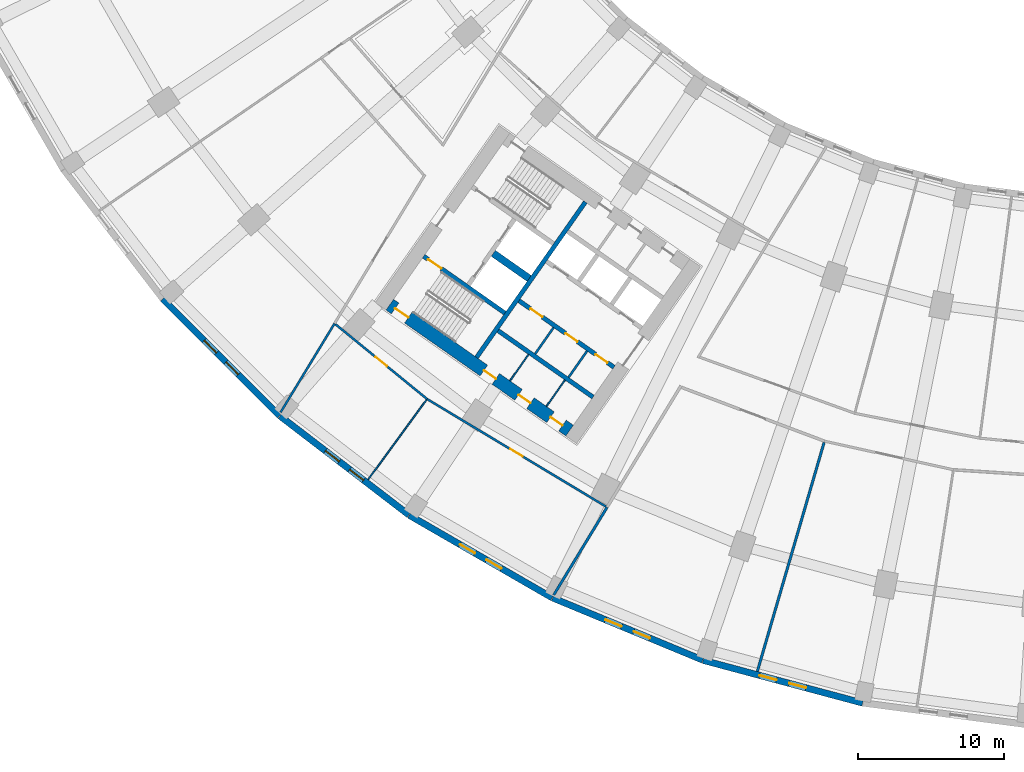
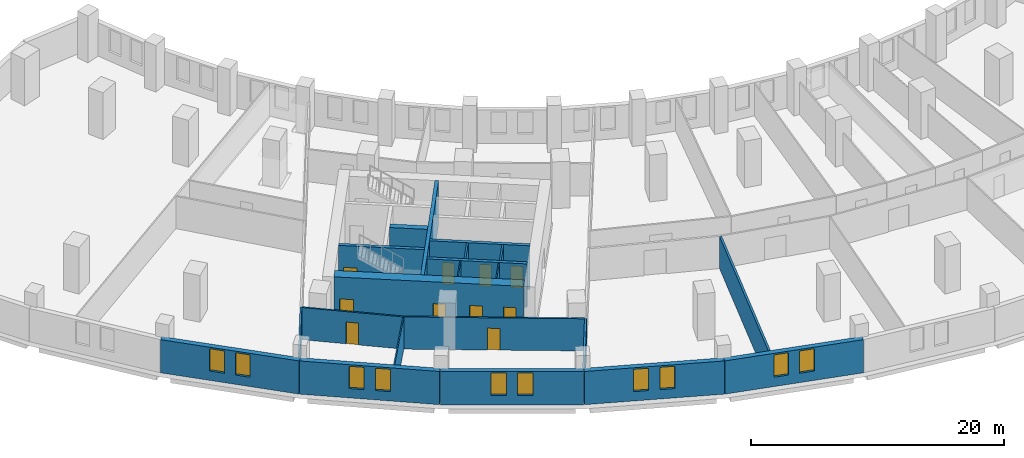
# One storey, part 5 of 19: 21 walls, 10 doors, 10 windows, 20 openings.
"""IFC4 building model written with IfcOpenShell, lengths in metres."""

from ifc_helpers import new_model, si_unit, direction, frame, frame_2d, origin, place, context, subcontext, project, spatial, rectangle, extrude, material, layer, layer_set, type_object, element, fill, save


model = new_model("IFC4")

# Units and contexts
model_context = context("Model", 3, precision=1e-05, world=origin(), true_north=direction((0.0, 1.0)))
body_context = subcontext(model_context, "Body", "Model", "MODEL_VIEW")
ifc_project = project(units=[si_unit("LENGTHUNIT", "METRE"), si_unit("AREAUNIT", "SQUARE_METRE"), si_unit("VOLUMEUNIT", "CUBIC_METRE"), si_unit("PLANEANGLEUNIT", "RADIAN"), si_unit("MASSUNIT", "GRAM", prefix="KILO")], contexts=[model_context])

# Site, building, storey
site_placement = place(None, origin())
site = spatial("IfcSite", under=ifc_project, at=site_placement, CompositionType="ELEMENT")
building_placement = place(site_placement, origin())
building = spatial("IfcBuilding", under=site, at=building_placement, Name="Qamariyya Broadcast Tower", CompositionType="ELEMENT")
storey_placement = place(building_placement, frame((0.0, 0.0, 36.0)))
storey = spatial("IfcBuildingStorey", under=building, at=storey_placement, Name="L05", CompositionType="ELEMENT", Elevation=36.0)

# Wall, openings, doors
ifc_material_1 = material(Name="Concrete C70/85", Category="concrete")
ifc_layer_1 = layer(ifc_material_1, 0.89990234375)
ifc_layer_set_1 = layer_set([ifc_layer_1], Name="Core wall 900 mm Concrete C70/85")
wall_type_1 = type_object("IfcWallType", Name="Core wall 900 mm Concrete C70/85", PredefinedType="SHEAR", material=ifc_layer_set_1)
wall_1_placement = place(storey_placement, frame((-36.827392578125, -65.710205078125, 0.0), z_axis=(0.0, 0.0, 1.0), x_axis=(-0.819153391756, 0.573574511963, 0.0)))
wall_1 = element("IfcWall", 1, at=wall_1_placement, inside=storey, type_object=wall_type_1, Name="k-W-L05-WO", PredefinedType="SHEAR", context=body_context, shape_type="SweptSolid", body=[
    extrude(rectangle(XDim=15.04541015625, YDim=0.89990234375, at=frame_2d((7.522705078125, 0.0))), origin(), (0.0, 0.0, 1.0), 4.199951171875),
])
opening_1_placement = place(wall_1_placement, frame((0.60009765625, 0.0, 0.0)))
opening_1 = element("IfcOpeningElement", 2, at=opening_1_placement, cuts=wall_1, Name="Opening KD4-W1", PredefinedType="OPENING", context=body_context, shape_type="SweptSolid", body=[
    extrude(rectangle(XDim=1.0, YDim=2.10009765625, at=frame_2d((0.5, 1.050048828125))), frame((0.0, 0.4599609375, 0.0), z_axis=(0.0, -1.0, 0.0), x_axis=(1.0, 0.0, 0.0)), (0.0, 0.0, 1.0), 0.919921875),
])
opening_2_placement = place(wall_1_placement, frame((3.27490234375, 0.0, 0.0)))
opening_2 = element("IfcOpeningElement", 3, at=opening_2_placement, cuts=wall_1, Name="Opening KD4-W2", PredefinedType="OPENING", context=body_context, shape_type="SweptSolid", body=[
    extrude(rectangle(XDim=1.0, YDim=2.10009765625, at=frame_2d((0.5, 1.050048828125))), frame((0.0, 0.4599609375, 0.0), z_axis=(0.0, -1.0, 0.0), x_axis=(1.0, 0.0, 0.0)), (0.0, 0.0, 1.0), 0.919921875),
])
opening_3_placement = place(wall_1_placement, frame((6.175048828125, 0.0, 0.0)))
opening_3 = element("IfcOpeningElement", 4, at=opening_3_placement, cuts=wall_1, Name="Opening KD4-W3", PredefinedType="OPENING", context=body_context, shape_type="SweptSolid", body=[
    extrude(rectangle(XDim=1.0, YDim=2.10009765625, at=frame_2d((0.5, 1.050048828125))), frame((0.0, 0.4599609375, 0.0), z_axis=(0.0, -1.0, 0.0), x_axis=(1.0, 0.0, 0.0)), (0.0, 0.0, 1.0), 0.919921875),
])
opening_4_placement = place(wall_1_placement, frame((13.495361328125, 0.0, 0.0)))
opening_4 = element("IfcOpeningElement", 5, at=opening_4_placement, cuts=wall_1, Name="Opening KD1-W3", PredefinedType="OPENING", context=body_context, shape_type="SweptSolid", body=[
    extrude(rectangle(XDim=1.10009765625, YDim=2.10009765625, at=frame_2d((0.550048828125, 1.050048828125))), frame((0.0, 0.4599609375, 0.0), z_axis=(0.0, -1.0, 0.0), x_axis=(1.0, 0.0, 0.0)), (0.0, 0.0, 1.0), 0.919921875),
])
ifc_material_2 = material(Name="Steel fire-resisting door leaf", Category="steel")
door_type_1 = type_object("IfcDoorType", Name="Riser and plant door KD4", OperationType="SINGLE_SWING_LEFT", PredefinedType="DOOR", material=ifc_material_2)
door_1_placement = place(opening_1_placement, origin())
door_1 = element("IfcDoor", 6, at=door_1_placement, inside=storey, type_object=door_type_1, Name="k-W-L05-WO-D11", OperationType="SINGLE_SWING_RIGHT", OverallHeight=2.10009765625, OverallWidth=1.0, PredefinedType="DOOR", context=body_context, shape_type="SweptSolid", body=[
    extrude(rectangle(XDim=1.0, YDim=2.10009765625, at=frame_2d((0.5, 1.050048828125))), frame((0.0, 0.02490234375, 0.0), z_axis=(0.0, -1.0, 0.0), x_axis=(1.0, 0.0, 0.0)), (0.0, 0.0, 1.0), 0.050048828125),
])
fill(opening_1, door_1)
door_2_placement = place(opening_2_placement, origin())
door_2 = element("IfcDoor", 7, at=door_2_placement, inside=storey, type_object=door_type_1, Name="k-W-L05-WO-D12", OperationType="SINGLE_SWING_LEFT", OverallHeight=2.10009765625, OverallWidth=1.0, PredefinedType="DOOR", context=body_context, shape_type="SweptSolid", body=[
    extrude(rectangle(XDim=1.0, YDim=2.10009765625, at=frame_2d((0.5, 1.050048828125))), frame((0.0, 0.02490234375, 0.0), z_axis=(0.0, -1.0, 0.0), x_axis=(1.0, 0.0, 0.0)), (0.0, 0.0, 1.0), 0.050048828125),
])
fill(opening_2, door_2)
door_3_placement = place(opening_3_placement, origin())
door_3 = element("IfcDoor", 8, at=door_3_placement, inside=storey, type_object=door_type_1, Name="k-W-L05-WO-D13", OperationType="SINGLE_SWING_RIGHT", OverallHeight=2.10009765625, OverallWidth=1.0, PredefinedType="DOOR", context=body_context, shape_type="SweptSolid", body=[
    extrude(rectangle(XDim=1.0, YDim=2.10009765625, at=frame_2d((0.5, 1.050048828125))), frame((0.0, 0.02490234375, 0.0), z_axis=(0.0, -1.0, 0.0), x_axis=(1.0, 0.0, 0.0)), (0.0, 0.0, 1.0), 0.050048828125),
])
fill(opening_3, door_3)
door_type_2 = type_object("IfcDoorType", Name="Stair door KD1", OperationType="SINGLE_SWING_LEFT", PredefinedType="DOOR", material=ifc_material_2)
door_4_placement = place(opening_4_placement, origin())
door_4 = element("IfcDoor", 9, at=door_4_placement, inside=storey, type_object=door_type_2, Name="k-W-L05-WO-D19", OperationType="SINGLE_SWING_LEFT", OverallHeight=2.10009765625, OverallWidth=1.10009765625, PredefinedType="DOOR", context=body_context, shape_type="SweptSolid", body=[
    extrude(rectangle(XDim=1.10009765625, YDim=2.10009765625, at=frame_2d((0.550048828125, 1.050048828125))), frame((0.0, 0.02490234375, 0.0), z_axis=(0.0, -1.0, 0.0), x_axis=(1.0, 0.0, 0.0)), (0.0, 0.0, 1.0), 0.050048828125),
])
fill(opening_4, door_4)

# Wall
ifc_material_3 = material(Name="Gypsum board partition")
ifc_layer_2 = layer(ifc_material_3, 0.14990234375)
ifc_layer_set_2 = layer_set([ifc_layer_2], Name="Corridor partition 150 EI 60")
wall_type_2 = type_object("IfcWallType", Name="Corridor partition 150 EI 60", PredefinedType="PARTITIONING", material=ifc_layer_set_2)
wall_2_placement = place(storey_placement, frame((-52.935791015625, -58.37158203125, 0.0), z_axis=(0.0, 0.0, 1.0), x_axis=(-0.519148894699, -0.854683815883, 0.0)))
element("IfcWall", 10, at=wall_2_placement, inside=storey, type_object=wall_type_2, Name="Partition L05-003", PredefinedType="PARTITIONING", context=body_context, shape_type="SweptSolid", body=[
    extrude(rectangle(XDim=7.12548828125, YDim=0.14990234375, at=frame_2d((3.562744140625, 0.0))), origin(), (0.0, 0.0, 1.0), 3.10009765625),
])

# Wall, opening, door
wall_3_placement = place(storey_placement, frame((-46.593505859375, -63.549072265625, 0.0), z_axis=(0.0, 0.0, 1.0), x_axis=(-0.774664810718, 0.632372066931, 0.0)))
wall_3 = element("IfcWall", 11, at=wall_3_placement, inside=storey, type_object=wall_type_2, Name="Partition L05-004", PredefinedType="PARTITIONING", context=body_context, shape_type="SweptSolid", body=[
    extrude(rectangle(XDim=8.112060546875, YDim=0.14990234375, at=frame_2d((4.05615234375, 0.0))), origin(), (0.0, 0.0, 1.0), 3.10009765625),
])
opening_5_placement = place(wall_3_placement, frame((3.55615234375, 0.0, 0.0)))
opening_5 = element("IfcOpeningElement", 12, at=opening_5_placement, cuts=wall_3, Name="Opening L05-D17", PredefinedType="OPENING", context=body_context, shape_type="SweptSolid", body=[
    extrude(rectangle(XDim=1.0, YDim=2.10009765625, at=frame_2d((0.5, 1.050048828125))), frame((0.0, 0.0849609375, 0.0), z_axis=(0.0, -1.0, 0.0), x_axis=(1.0, 0.0, 0.0)), (0.0, 0.0, 1.0), 0.169921875),
])
ifc_material_4 = material(Name="Timber fire door leaf", Category="wood")
door_type_3 = type_object("IfcDoorType", Name="Fire door 1000 x 2100 FD60", OperationType="NOTDEFINED", PredefinedType="DOOR", material=ifc_material_4)
door_5_placement = place(opening_5_placement, origin())
door_5 = element("IfcDoor", 13, at=door_5_placement, inside=storey, type_object=door_type_3, Name="Door L05-D17", OperationType="SINGLE_SWING_RIGHT", OverallHeight=2.10009765625, OverallWidth=1.0, PredefinedType="DOOR", context=body_context, shape_type="SweptSolid", body=[
    extrude(rectangle(XDim=1.0, YDim=2.10009765625, at=frame_2d((0.5, 1.050048828125))), frame((0.0, 0.02490234375, 0.0), z_axis=(0.0, -1.0, 0.0), x_axis=(1.0, 0.0, 0.0)), (0.0, 0.0, 1.0), 0.050048828125),
])
fill(opening_5, door_5)

wall_4_placement = place(storey_placement, frame((-34.337158203125, -70.916259765625, 0.0), z_axis=(0.0, 0.0, 1.0), x_axis=(-0.857079893963, 0.515183516199, 0.0)))
wall_4 = element("IfcWall", 14, at=wall_4_placement, inside=storey, type_object=wall_type_2, Name="Partition L05-009", PredefinedType="PARTITIONING", context=body_context, shape_type="SweptSolid", body=[
    extrude(rectangle(XDim=14.300048828125, YDim=0.14990234375, at=frame_2d((7.14990234375, 0.0))), origin(), (0.0, 0.0, 1.0), 3.10009765625),
])
opening_6_placement = place(wall_4_placement, frame((6.650146484375, 0.0, 0.0)))
opening_6 = element("IfcOpeningElement", 15, at=opening_6_placement, cuts=wall_4, Name="Opening L05-D18", PredefinedType="OPENING", context=body_context, shape_type="SweptSolid", body=[
    extrude(rectangle(XDim=1.0, YDim=2.10009765625, at=frame_2d((0.5, 1.050048828125))), frame((0.0, 0.0849609375, 0.0), z_axis=(0.0, -1.0, 0.0), x_axis=(1.0, 0.0, 0.0)), (0.0, 0.0, 1.0), 0.169921875),
])
door_6_placement = place(opening_6_placement, origin())
door_6 = element("IfcDoor", 16, at=door_6_placement, inside=storey, type_object=door_type_3, Name="Door L05-D18", OperationType="SINGLE_SWING_RIGHT", OverallHeight=2.10009765625, OverallWidth=1.0, PredefinedType="DOOR", context=body_context, shape_type="SweptSolid", body=[
    extrude(rectangle(XDim=1.0, YDim=2.10009765625, at=frame_2d((0.5, 1.050048828125))), frame((0.0, 0.02490234375, 0.0), z_axis=(0.0, -1.0, 0.0), x_axis=(1.0, 0.0, 0.0)), (0.0, 0.0, 1.0), 0.050048828125),
])
fill(opening_6, door_6)

# Walls
ifc_material_5 = material(Name="Concrete C60/75", Category="concrete")
ifc_layer_3 = layer(ifc_material_5, 0.5)
ifc_layer_set_3 = layer_set([ifc_layer_3], Name="Fire-fighting lobby divider wall 500 mm Concrete C60/75")
wall_type_3 = type_object("IfcWallType", Name="Fire-fighting lobby divider wall 500 mm Concrete C60/75", PredefinedType="SOLIDWALL", material=ifc_layer_set_3)
wall_5_placement = place(storey_placement, frame((-39.59912109375, -55.28515625, 0.0), z_axis=(0.0, 0.0, 1.0), x_axis=(-0.819136323161, 0.573598887793, 0.0)))
element("IfcWall", 17, at=wall_5_placement, inside=storey, type_object=wall_type_3, Name="k-W-L05-FD", PredefinedType="SOLIDWALL", context=body_context, shape_type="SweptSolid", body=[
    extrude(rectangle(XDim=2.999755859375, YDim=0.5, at=frame_2d((1.5, 0.0))), origin(), (0.0, 0.0, 1.0), 4.199951171875),
])
ifc_material_6 = material(Name="Gypsum board partition on steel studs", Category="steel")
ifc_layer_4 = layer(ifc_material_6, 0.14990234375)
ifc_layer_set_4 = layer_set([ifc_layer_4], Name="Gypsum board partition 150 mm")
wall_type_4 = type_object("IfcWallType", Name="Gypsum board partition 150 mm", PredefinedType="PARTITIONING", material=ifc_layer_set_4)
for number, where, z_axis, x_axis, name in (
    (18, (-35.634521484375, -60.25830078125, 0.0), (0.0, 0.0, 1.0), (-0.573581496053, -0.819148501424, 0.0), "k-W-L05-SC215"),
    (19, (-37.92822265625, -58.65234375, 0.0), (0.0, 0.0, 1.0), (-0.573581496053, -0.819148501424, 0.0), "k-W-L05-SC495"),
):
    element("IfcWall", number, at=place(storey_placement, frame(where, z_axis=z_axis, x_axis=x_axis)), inside=storey, type_object=wall_type_4, Name=name, PredefinedType="PARTITIONING", context=body_context, shape_type="SweptSolid", body=[
        extrude(rectangle(XDim=2.2001953125, YDim=0.14990234375, at=frame_2d((1.10009765625, 0.0))), origin(), (0.0, 0.0, 1.0), 4.199951171875),
    ])
ifc_layer_5 = layer(ifc_material_5, 0.300048828125)
ifc_layer_set_5 = layer_set([ifc_layer_5], Name="Lift shaft wall 300 mm Concrete C60/75")
wall_type_5 = type_object("IfcWallType", Name="Lift shaft wall 300 mm Concrete C60/75", PredefinedType="SOLIDWALL", material=ifc_layer_set_5)
wall_6_placement = place(storey_placement, frame((-43.204345703125, -60.69580078125, 0.0), z_axis=(0.0, 0.0, 1.0), x_axis=(0.573571992966, 0.819155155563, 0.0)))
element("IfcWall", 20, at=wall_6_placement, inside=storey, type_object=wall_type_5, Name="k-W-L05-WL", PredefinedType="SOLIDWALL", context=body_context, shape_type="SweptSolid", body=[
    extrude(rectangle(XDim=13.000244140625, YDim=0.300048828125, at=frame_2d((6.5, 0.0))), origin(), (0.0, 0.0, 1.0), 4.199951171875),
])

# Wall, openings, doors
wall_7_placement = place(storey_placement, frame((-33.787353515625, -61.368896484375, 0.0), z_axis=(0.0, 0.0, 1.0), x_axis=(-0.819152564888, 0.573575692858, 0.0)))
wall_7 = element("IfcWall", 21, at=wall_7_placement, inside=storey, type_object=wall_type_5, Name="k-W-L05-SF0", PredefinedType="SOLIDWALL", context=body_context, shape_type="SweptSolid", body=[
    extrude(rectangle(XDim=7.9501953125, YDim=0.300048828125, at=frame_2d((3.97509765625, 0.0))), origin(), (0.0, 0.0, 1.0), 4.199951171875),
])
opening_7_placement = place(wall_7_placement, frame((0.53759765625, 0.0, 0.0)))
opening_7 = element("IfcOpeningElement", 22, at=opening_7_placement, cuts=wall_7, Name="Opening KD6-W1", PredefinedType="OPENING", context=body_context, shape_type="SweptSolid", body=[
    extrude(rectangle(XDim=1.0, YDim=2.10009765625, at=frame_2d((0.5, 1.050048828125))), frame((0.0, 0.159912109375, 0.0), z_axis=(0.0, -1.0, 0.0), x_axis=(1.0, 0.0, 0.0)), (0.0, 0.0, 1.0), 0.320068359375),
])
opening_8_placement = place(wall_7_placement, frame((3.050048828125, 0.0, 0.0)))
opening_8 = element("IfcOpeningElement", 23, at=opening_8_placement, cuts=wall_7, Name="Opening KD6-W2", PredefinedType="OPENING", context=body_context, shape_type="SweptSolid", body=[
    extrude(rectangle(XDim=1.0, YDim=2.10009765625, at=frame_2d((0.5, 1.050048828125))), frame((0.0, 0.159912109375, 0.0), z_axis=(0.0, -1.0, 0.0), x_axis=(1.0, 0.0, 0.0)), (0.0, 0.0, 1.0), 0.320068359375),
])
opening_9_placement = place(wall_7_placement, frame((5.987548828125, 0.0, 0.0)))
opening_9 = element("IfcOpeningElement", 24, at=opening_9_placement, cuts=wall_7, Name="Opening KD6-W3", PredefinedType="OPENING", context=body_context, shape_type="SweptSolid", body=[
    extrude(rectangle(XDim=1.0, YDim=2.10009765625, at=frame_2d((0.5, 1.050048828125))), frame((0.0, 0.159912109375, 0.0), z_axis=(0.0, -1.0, 0.0), x_axis=(1.0, 0.0, 0.0)), (0.0, 0.0, 1.0), 0.320068359375),
])
door_type_4 = type_object("IfcDoorType", Name="Core room door KD6", OperationType="SINGLE_SWING_LEFT", PredefinedType="DOOR", material=ifc_material_2)
door_7_placement = place(opening_7_placement, origin())
door_7 = element("IfcDoor", 25, at=door_7_placement, inside=storey, type_object=door_type_4, Name="k-W-L05-SF0-D5", OperationType="SINGLE_SWING_RIGHT", OverallHeight=2.10009765625, OverallWidth=1.0, PredefinedType="DOOR", context=body_context, shape_type="SweptSolid", body=[
    extrude(rectangle(XDim=1.0, YDim=2.10009765625, at=frame_2d((0.5, 1.050048828125))), frame((0.0, 0.02490234375, 0.0), z_axis=(0.0, -1.0, 0.0), x_axis=(1.0, 0.0, 0.0)), (0.0, 0.0, 1.0), 0.050048828125),
])
fill(opening_7, door_7)
door_8_placement = place(opening_8_placement, origin())
door_8 = element("IfcDoor", 26, at=door_8_placement, inside=storey, type_object=door_type_4, Name="k-W-L05-SF0-D6", OperationType="SINGLE_SWING_LEFT", OverallHeight=2.10009765625, OverallWidth=1.0, PredefinedType="DOOR", context=body_context, shape_type="SweptSolid", body=[
    extrude(rectangle(XDim=1.0, YDim=2.10009765625, at=frame_2d((0.5, 1.050048828125))), frame((0.0, 0.02490234375, 0.0), z_axis=(0.0, -1.0, 0.0), x_axis=(1.0, 0.0, 0.0)), (0.0, 0.0, 1.0), 0.050048828125),
])
fill(opening_8, door_8)
door_9_placement = place(opening_9_placement, origin())
door_9 = element("IfcDoor", 27, at=door_9_placement, inside=storey, type_object=door_type_4, Name="k-W-L05-SF0-D7", OperationType="SINGLE_SWING_RIGHT", OverallHeight=2.10009765625, OverallWidth=1.0, PredefinedType="DOOR", context=body_context, shape_type="SweptSolid", body=[
    extrude(rectangle(XDim=1.0, YDim=2.10009765625, at=frame_2d((0.5, 1.050048828125))), frame((0.0, 0.02490234375, 0.0), z_axis=(0.0, -1.0, 0.0), x_axis=(1.0, 0.0, 0.0)), (0.0, 0.0, 1.0), 0.050048828125),
])
fill(opening_9, door_9)

# Wall
wall_8_placement = place(storey_placement, frame((-35.22119140625, -63.41650390625, 0.0), z_axis=(0.0, 0.0, 1.0), x_axis=(-0.819166993208, 0.573555086491, 0.0)))
element("IfcWall", 28, at=wall_8_placement, inside=storey, type_object=wall_type_5, Name="k-W-L05-SB0", PredefinedType="SOLIDWALL", context=body_context, shape_type="SweptSolid", body=[
    extrude(rectangle(XDim=7.9501953125, YDim=0.300048828125, at=frame_2d((3.97509765625, 0.0))), origin(), (0.0, 0.0, 1.0), 4.199951171875),
])

# Wall, opening, door
wall_9_placement = place(storey_placement, frame((-41.262451171875, -57.66064453125, 0.0), z_axis=(0.0, 0.0, 1.0), x_axis=(-0.819164398642, 0.573558792102, 0.0)))
wall_9 = element("IfcWall", 29, at=wall_9_placement, inside=storey, type_object=wall_type_5, Name="k-W-L05-SW", PredefinedType="SOLIDWALL", context=body_context, shape_type="SweptSolid", body=[
    extrude(rectangle(XDim=6.795166015625, YDim=0.300048828125, at=frame_2d((3.3974609375, 0.0))), origin(), (0.0, 0.0, 1.0), 4.199951171875),
])
opening_10_placement = place(wall_9_placement, frame((5.3203125, 0.0, 0.0)))
opening_10 = element("IfcOpeningElement", 30, at=opening_10_placement, cuts=wall_9, Name="Opening KD1-W4", PredefinedType="OPENING", context=body_context, shape_type="SweptSolid", body=[
    extrude(rectangle(XDim=1.10009765625, YDim=2.10009765625, at=frame_2d((0.550048828125, 1.050048828125))), frame((0.0, 0.159912109375, 0.0), z_axis=(0.0, -1.0, 0.0), x_axis=(1.0, 0.0, 0.0)), (0.0, 0.0, 1.0), 0.320068359375),
])
door_10_placement = place(opening_10_placement, origin())
door_10 = element("IfcDoor", 31, at=door_10_placement, inside=storey, type_object=door_type_2, Name="k-W-L05-SW-D20", OperationType="SINGLE_SWING_LEFT", OverallHeight=2.10009765625, OverallWidth=1.10009765625, PredefinedType="DOOR", context=body_context, shape_type="SweptSolid", body=[
    extrude(rectangle(XDim=1.10009765625, YDim=2.10009765625, at=frame_2d((0.550048828125, 1.050048828125))), frame((0.0, 0.02490234375, 0.0), z_axis=(0.0, -1.0, 0.0), x_axis=(1.0, 0.0, 0.0)), (0.0, 0.0, 1.0), 0.050048828125),
])
fill(opening_10, door_10)

# Wall
ifc_layer_6 = layer(ifc_material_3, 0.10009765625)
ifc_layer_set_6 = layer_set([ifc_layer_6], Name="Partition 100")
wall_type_6 = type_object("IfcWallType", Name="Partition 100", PredefinedType="PARTITIONING", material=ifc_layer_set_6)
wall_10_placement = place(storey_placement, frame((-50.635498046875, -69.06201171875, 0.0), z_axis=(0.0, 0.0, 1.0), x_axis=(0.591304174152, 0.806448618097, 0.0)))
element("IfcWall", 32, at=wall_10_placement, inside=storey, type_object=wall_type_6, Name="Partition L05-006", PredefinedType="PARTITIONING", context=body_context, shape_type="SweptSolid", body=[
    extrude(rectangle(XDim=6.760986328125, YDim=0.10009765625, at=frame_2d((3.38037109375, 0.0))), origin(), (0.0, 0.0, 1.0), 3.10009765625),
])

# Wall, openings, windows
ifc_material_7 = material(Name="Precast concrete C40/50 with terracotta facing", Category="masonry")
ifc_layer_7 = layer(ifc_material_7, 0.449951171875)
ifc_layer_set_7 = layer_set([ifc_layer_7], Name="Precast concrete C40/50 wall 450, terracotta faced")
wall_type_7 = type_object("IfcWallType", Name="Precast concrete C40/50 wall 450, terracotta faced", PredefinedType="SOLIDWALL", material=ifc_layer_set_7)
wall_11_placement = place(storey_placement, frame((-64.69775390625, -56.69873046875, 0.0), z_axis=(0.0, 0.0, 1.0), x_axis=(0.707106781187, -0.707106781187, 0.0)))
wall_11 = element("IfcWall", 33, at=wall_11_placement, inside=storey, type_object=wall_type_7, Name="e-wl-L05-out40", PredefinedType="SOLIDWALL", context=body_context, shape_type="SweptSolid", body=[
    extrude(rectangle(XDim=11.312255859375, YDim=0.449951171875, at=frame_2d((5.65625, 0.0))), origin(), (0.0, 0.0, 1.0), 3.199951171875),
])
opening_11_placement = place(wall_11_placement, frame((4.00634765625, 0.0, 0.89990234375)))
opening_11 = element("IfcOpeningElement", 34, at=opening_11_placement, cuts=wall_11, Name="Opening W3", PredefinedType="OPENING", context=body_context, shape_type="SweptSolid", body=[
    extrude(rectangle(XDim=1.199951171875, YDim=2.14990234375, at=frame_2d((0.60009765625, 1.074951171875))), frame((0.0, 0.23486328125, 0.0), z_axis=(0.0, -1.0, 0.0), x_axis=(1.0, 0.0, 0.0)), (0.0, 0.0, 1.0), 0.469970703125),
])
opening_12_placement = place(wall_11_placement, frame((6.106201171875, 0.0, 0.89990234375)))
opening_12 = element("IfcOpeningElement", 35, at=opening_12_placement, cuts=wall_11, Name="Opening W3", PredefinedType="OPENING", context=body_context, shape_type="SweptSolid", body=[
    extrude(rectangle(XDim=1.199951171875, YDim=2.14990234375, at=frame_2d((0.60009765625, 1.074951171875))), frame((0.0, 0.23486328125, 0.0), z_axis=(0.0, -1.0, 0.0), x_axis=(1.0, 0.0, 0.0)), (0.0, 0.0, 1.0), 0.469970703125),
])
ifc_material_8 = material(Name="Clear low-e double glazed unit in aluminium frame", Category="aluminium")
window_type = type_object("IfcWindowType", Name="Podium window 1200 x 2150", PartitioningType="SINGLE_PANEL", PredefinedType="WINDOW", material=ifc_material_8)
window_1_placement = place(opening_11_placement, origin())
window_1 = element("IfcWindow", 36, at=window_1_placement, inside=storey, type_object=window_type, Name="e-w-L05-out04a", OverallHeight=2.14990234375, OverallWidth=1.199951171875, PartitioningType="SINGLE_PANEL", PredefinedType="WINDOW", context=body_context, shape_type="SweptSolid", body=[
    extrude(rectangle(XDim=1.199951171875, YDim=2.14990234375, at=frame_2d((0.60009765625, 1.074951171875))), frame((0.0, 0.030029296875, 0.0), z_axis=(0.0, -1.0, 0.0), x_axis=(1.0, 0.0, 0.0)), (0.0, 0.0, 1.0), 0.06005859375),
])
fill(opening_11, window_1)
window_2_placement = place(opening_12_placement, origin())
window_2 = element("IfcWindow", 37, at=window_2_placement, inside=storey, type_object=window_type, Name="e-w-L05-out04b", OverallHeight=2.14990234375, OverallWidth=1.199951171875, PartitioningType="SINGLE_PANEL", PredefinedType="WINDOW", context=body_context, shape_type="SweptSolid", body=[
    extrude(rectangle(XDim=1.199951171875, YDim=2.14990234375, at=frame_2d((0.60009765625, 1.074951171875))), frame((0.0, 0.030029296875, 0.0), z_axis=(0.0, -1.0, 0.0), x_axis=(1.0, 0.0, 0.0)), (0.0, 0.0, 1.0), 0.06005859375),
])
fill(opening_12, window_2)

wall_12_placement = place(storey_placement, frame((-56.673095703125, -64.712646484375, 0.0), z_axis=(0.0, 0.0, 1.0), x_axis=(0.793355377778, -0.608758773695, 0.0)))
wall_12 = element("IfcWall", 38, at=wall_12_placement, inside=storey, type_object=wall_type_7, Name="e-wl-L05-out50", PredefinedType="SOLIDWALL", context=body_context, shape_type="SweptSolid", body=[
    extrude(rectangle(XDim=11.134765625, YDim=0.449951171875, at=frame_2d((5.5673828125, 0.0))), origin(), (0.0, 0.0, 1.0), 3.199951171875),
])
opening_13_placement = place(wall_12_placement, frame((3.917236328125, 0.0, 0.89990234375)))
opening_13 = element("IfcOpeningElement", 39, at=opening_13_placement, cuts=wall_12, Name="Opening W3", PredefinedType="OPENING", context=body_context, shape_type="SweptSolid", body=[
    extrude(rectangle(XDim=1.199951171875, YDim=2.14990234375, at=frame_2d((0.60009765625, 1.074951171875))), frame((0.0, 0.23486328125, 0.0), z_axis=(0.0, -1.0, 0.0), x_axis=(1.0, 0.0, 0.0)), (0.0, 0.0, 1.0), 0.469970703125),
])
opening_14_placement = place(wall_12_placement, frame((6.017333984375, 0.0, 0.89990234375)))
opening_14 = element("IfcOpeningElement", 40, at=opening_14_placement, cuts=wall_12, Name="Opening W3", PredefinedType="OPENING", context=body_context, shape_type="SweptSolid", body=[
    extrude(rectangle(XDim=1.199951171875, YDim=2.14990234375, at=frame_2d((0.60009765625, 1.074951171875))), frame((0.0, 0.23486328125, 0.0), z_axis=(0.0, -1.0, 0.0), x_axis=(1.0, 0.0, 0.0)), (0.0, 0.0, 1.0), 0.469970703125),
])
window_3_placement = place(opening_13_placement, origin())
window_3 = element("IfcWindow", 41, at=window_3_placement, inside=storey, type_object=window_type, Name="e-w-L05-out05a", OverallHeight=2.14990234375, OverallWidth=1.199951171875, PartitioningType="SINGLE_PANEL", PredefinedType="WINDOW", context=body_context, shape_type="SweptSolid", body=[
    extrude(rectangle(XDim=1.199951171875, YDim=2.14990234375, at=frame_2d((0.60009765625, 1.074951171875))), frame((0.0, 0.030029296875, 0.0), z_axis=(0.0, -1.0, 0.0), x_axis=(1.0, 0.0, 0.0)), (0.0, 0.0, 1.0), 0.06005859375),
])
fill(opening_13, window_3)
window_4_placement = place(opening_14_placement, origin())
window_4 = element("IfcWindow", 42, at=window_4_placement, inside=storey, type_object=window_type, Name="e-w-L05-out05b", OverallHeight=2.14990234375, OverallWidth=1.199951171875, PartitioningType="SINGLE_PANEL", PredefinedType="WINDOW", context=body_context, shape_type="SweptSolid", body=[
    extrude(rectangle(XDim=1.199951171875, YDim=2.14990234375, at=frame_2d((0.60009765625, 1.074951171875))), frame((0.0, 0.030029296875, 0.0), z_axis=(0.0, -1.0, 0.0), x_axis=(1.0, 0.0, 0.0)), (0.0, 0.0, 1.0), 0.06005859375),
])
fill(opening_14, window_4)

wall_13_placement = place(storey_placement, frame((-47.818603515625, -71.51171875, 0.0), z_axis=(0.0, 0.0, 1.0), x_axis=(0.866024577697, -0.500001430823, 0.0)))
wall_13 = element("IfcWall", 43, at=wall_13_placement, inside=storey, type_object=wall_type_7, Name="e-wl-L05-out60", PredefinedType="SOLIDWALL", context=body_context, shape_type="SweptSolid", body=[
    extrude(rectangle(XDim=11.3125, YDim=0.449951171875, at=frame_2d((5.65625, 0.0))), origin(), (0.0, 0.0, 1.0), 3.199951171875),
])
opening_15_placement = place(wall_13_placement, frame((4.00634765625, 0.0, 0.89990234375)))
opening_15 = element("IfcOpeningElement", 44, at=opening_15_placement, cuts=wall_13, Name="Opening W3", PredefinedType="OPENING", context=body_context, shape_type="SweptSolid", body=[
    extrude(rectangle(XDim=1.199951171875, YDim=2.14990234375, at=frame_2d((0.60009765625, 1.074951171875))), frame((0.0, 0.23486328125, 0.0), z_axis=(0.0, -1.0, 0.0), x_axis=(1.0, 0.0, 0.0)), (0.0, 0.0, 1.0), 0.469970703125),
])
opening_16_placement = place(wall_13_placement, frame((6.106201171875, 0.0, 0.89990234375)))
opening_16 = element("IfcOpeningElement", 45, at=opening_16_placement, cuts=wall_13, Name="Opening W3", PredefinedType="OPENING", context=body_context, shape_type="SweptSolid", body=[
    extrude(rectangle(XDim=1.199951171875, YDim=2.14990234375, at=frame_2d((0.60009765625, 1.074951171875))), frame((0.0, 0.23486328125, 0.0), z_axis=(0.0, -1.0, 0.0), x_axis=(1.0, 0.0, 0.0)), (0.0, 0.0, 1.0), 0.469970703125),
])
window_5_placement = place(opening_15_placement, origin())
window_5 = element("IfcWindow", 46, at=window_5_placement, inside=storey, type_object=window_type, Name="e-w-L05-out06a", OverallHeight=2.14990234375, OverallWidth=1.199951171875, PartitioningType="SINGLE_PANEL", PredefinedType="WINDOW", context=body_context, shape_type="SweptSolid", body=[
    extrude(rectangle(XDim=1.199951171875, YDim=2.14990234375, at=frame_2d((0.60009765625, 1.074951171875))), frame((0.0, 0.030029296875, 0.0), z_axis=(0.0, -1.0, 0.0), x_axis=(1.0, 0.0, 0.0)), (0.0, 0.0, 1.0), 0.06005859375),
])
fill(opening_15, window_5)
window_6_placement = place(opening_16_placement, origin())
window_6 = element("IfcWindow", 47, at=window_6_placement, inside=storey, type_object=window_type, Name="e-w-L05-out06b", OverallHeight=2.14990234375, OverallWidth=1.199951171875, PartitioningType="SINGLE_PANEL", PredefinedType="WINDOW", context=body_context, shape_type="SweptSolid", body=[
    extrude(rectangle(XDim=1.199951171875, YDim=2.14990234375, at=frame_2d((0.60009765625, 1.074951171875))), frame((0.0, 0.030029296875, 0.0), z_axis=(0.0, -1.0, 0.0), x_axis=(1.0, 0.0, 0.0)), (0.0, 0.0, 1.0), 0.06005859375),
])
fill(opening_16, window_6)

wall_14_placement = place(storey_placement, frame((-37.9931640625, -77.175537109375, 0.0), z_axis=(0.0, 0.0, 1.0), x_axis=(0.923874126662, -0.382696482978, 0.0)))
wall_14 = element("IfcWall", 48, at=wall_14_placement, inside=storey, type_object=wall_type_7, Name="e-wl-L05-out70", PredefinedType="SOLIDWALL", context=body_context, shape_type="SweptSolid", body=[
    extrude(rectangle(XDim=11.134765625, YDim=0.449951171875, at=frame_2d((5.5673828125, 0.0))), origin(), (0.0, 0.0, 1.0), 3.199951171875),
])
opening_17_placement = place(wall_14_placement, frame((3.917236328125, 0.0, 0.89990234375)))
opening_17 = element("IfcOpeningElement", 49, at=opening_17_placement, cuts=wall_14, Name="Opening W3", PredefinedType="OPENING", context=body_context, shape_type="SweptSolid", body=[
    extrude(rectangle(XDim=1.199951171875, YDim=2.14990234375, at=frame_2d((0.60009765625, 1.074951171875))), frame((0.0, 0.23486328125, 0.0), z_axis=(0.0, -1.0, 0.0), x_axis=(1.0, 0.0, 0.0)), (0.0, 0.0, 1.0), 0.469970703125),
])
opening_18_placement = place(wall_14_placement, frame((6.017333984375, 0.0, 0.89990234375)))
opening_18 = element("IfcOpeningElement", 50, at=opening_18_placement, cuts=wall_14, Name="Opening W3", PredefinedType="OPENING", context=body_context, shape_type="SweptSolid", body=[
    extrude(rectangle(XDim=1.199951171875, YDim=2.14990234375, at=frame_2d((0.60009765625, 1.074951171875))), frame((0.0, 0.23486328125, 0.0), z_axis=(0.0, -1.0, 0.0), x_axis=(1.0, 0.0, 0.0)), (0.0, 0.0, 1.0), 0.469970703125),
])
window_7_placement = place(opening_17_placement, origin())
window_7 = element("IfcWindow", 51, at=window_7_placement, inside=storey, type_object=window_type, Name="e-w-L05-out07a", OverallHeight=2.14990234375, OverallWidth=1.199951171875, PartitioningType="SINGLE_PANEL", PredefinedType="WINDOW", context=body_context, shape_type="SweptSolid", body=[
    extrude(rectangle(XDim=1.199951171875, YDim=2.14990234375, at=frame_2d((0.60009765625, 1.074951171875))), frame((0.0, 0.030029296875, 0.0), z_axis=(0.0, -1.0, 0.0), x_axis=(1.0, 0.0, 0.0)), (0.0, 0.0, 1.0), 0.06005859375),
])
fill(opening_17, window_7)
window_8_placement = place(opening_18_placement, origin())
window_8 = element("IfcWindow", 52, at=window_8_placement, inside=storey, type_object=window_type, Name="e-w-L05-out07b", OverallHeight=2.14990234375, OverallWidth=1.199951171875, PartitioningType="SINGLE_PANEL", PredefinedType="WINDOW", context=body_context, shape_type="SweptSolid", body=[
    extrude(rectangle(XDim=1.199951171875, YDim=2.14990234375, at=frame_2d((0.60009765625, 1.074951171875))), frame((0.0, 0.030029296875, 0.0), z_axis=(0.0, -1.0, 0.0), x_axis=(1.0, 0.0, 0.0)), (0.0, 0.0, 1.0), 0.06005859375),
])
fill(opening_18, window_8)

wall_15_placement = place(storey_placement, frame((-27.6806640625, -81.451416015625, 0.0), z_axis=(0.0, 0.0, 1.0), x_axis=(0.965923678926, -0.258827059038, 0.0)))
wall_15 = element("IfcWall", 53, at=wall_15_placement, inside=storey, type_object=wall_type_7, Name="e-wl-L05-out80", PredefinedType="SOLIDWALL", context=body_context, shape_type="SweptSolid", body=[
    extrude(rectangle(XDim=11.3125, YDim=0.449951171875, at=frame_2d((5.65625, 0.0))), origin(), (0.0, 0.0, 1.0), 3.199951171875),
])
opening_19_placement = place(wall_15_placement, frame((4.00634765625, 0.0, 0.89990234375)))
opening_19 = element("IfcOpeningElement", 54, at=opening_19_placement, cuts=wall_15, Name="Opening W3", PredefinedType="OPENING", context=body_context, shape_type="SweptSolid", body=[
    extrude(rectangle(XDim=1.199951171875, YDim=2.14990234375, at=frame_2d((0.60009765625, 1.074951171875))), frame((0.0, 0.23486328125, 0.0), z_axis=(0.0, -1.0, 0.0), x_axis=(1.0, 0.0, 0.0)), (0.0, 0.0, 1.0), 0.469970703125),
])
opening_20_placement = place(wall_15_placement, frame((6.106201171875, 0.0, 0.89990234375)))
opening_20 = element("IfcOpeningElement", 55, at=opening_20_placement, cuts=wall_15, Name="Opening W3", PredefinedType="OPENING", context=body_context, shape_type="SweptSolid", body=[
    extrude(rectangle(XDim=1.199951171875, YDim=2.14990234375, at=frame_2d((0.60009765625, 1.074951171875))), frame((0.0, 0.23486328125, 0.0), z_axis=(0.0, -1.0, 0.0), x_axis=(1.0, 0.0, 0.0)), (0.0, 0.0, 1.0), 0.469970703125),
])
window_9_placement = place(opening_19_placement, origin())
window_9 = element("IfcWindow", 56, at=window_9_placement, inside=storey, type_object=window_type, Name="e-w-L05-out08a", OverallHeight=2.14990234375, OverallWidth=1.199951171875, PartitioningType="SINGLE_PANEL", PredefinedType="WINDOW", context=body_context, shape_type="SweptSolid", body=[
    extrude(rectangle(XDim=1.199951171875, YDim=2.14990234375, at=frame_2d((0.60009765625, 1.074951171875))), frame((0.0, 0.030029296875, 0.0), z_axis=(0.0, -1.0, 0.0), x_axis=(1.0, 0.0, 0.0)), (0.0, 0.0, 1.0), 0.06005859375),
])
fill(opening_19, window_9)
window_10_placement = place(opening_20_placement, origin())
window_10 = element("IfcWindow", 57, at=window_10_placement, inside=storey, type_object=window_type, Name="e-w-L05-out08b", OverallHeight=2.14990234375, OverallWidth=1.199951171875, PartitioningType="SINGLE_PANEL", PredefinedType="WINDOW", context=body_context, shape_type="SweptSolid", body=[
    extrude(rectangle(XDim=1.199951171875, YDim=2.14990234375, at=frame_2d((0.60009765625, 1.074951171875))), frame((0.0, 0.030029296875, 0.0), z_axis=(0.0, -1.0, 0.0), x_axis=(1.0, 0.0, 0.0)), (0.0, 0.0, 1.0), 0.06005859375),
])
fill(opening_20, window_10)

# Walls
ifc_material_9 = material(Name="Fire-rated gypsum shaft liner on steel studs", Category="steel")
ifc_layer_8 = layer(ifc_material_9, 0.10009765625)
ifc_layer_set_8 = layer_set([ifc_layer_8], Name="Riser wall 100 mm")
wall_type_8 = type_object("IfcWallType", Name="Riser wall 100 mm", PredefinedType="PLUMBINGWALL", material=ifc_layer_set_8)
for number, where, z_axis, x_axis, name in (
    (58, (-37.150390625, -62.2490234375, 0.0), (0.0, 0.0, 1.0), (-0.573633636671, -0.819111989218, 0.0), "k-W-L05-SP225"),
    (59, (-39.64892578125, -60.49951171875, 0.0), (0.0, 0.0, 1.0), (-0.573507030513, -0.819200638399, 0.0), "k-W-L05-SP530"),
):
    element("IfcWall", number, at=place(storey_placement, frame(where, z_axis=z_axis, x_axis=x_axis)), inside=storey, type_object=wall_type_8, Name=name, PredefinedType="PLUMBINGWALL", context=body_context, shape_type="SweptSolid", body=[
        extrude(rectangle(XDim=2.199951171875, YDim=0.10009765625, at=frame_2d((1.10009765625, 0.0))), origin(), (0.0, 0.0, 1.0), 4.199951171875),
    ])
ifc_layer_9 = layer(ifc_material_3, 0.179931640625)
ifc_layer_set_9 = layer_set([ifc_layer_9], Name="Studio acoustic partition 180 EI 60")
wall_type_9 = type_object("IfcWallType", Name="Studio acoustic partition 180 EI 60", PredefinedType="PARTITIONING", material=ifc_layer_set_9)
wall_16_placement = place(storey_placement, frame((-34.260009765625, -70.962646484375, 0.0), z_axis=(0.0, 0.0, 1.0), x_axis=(-0.519582317334, -0.854420397412, 0.0)))
element("IfcWall", 60, at=wall_16_placement, inside=storey, type_object=wall_type_9, Name="Partition L05-015", PredefinedType="PARTITIONING", context=body_context, shape_type="SweptSolid", body=[
    extrude(rectangle(XDim=7.03173828125, YDim=0.179931640625, at=frame_2d((3.515869140625, 0.0))), origin(), (0.0, 0.0, 1.0), 3.10009765625),
])
wall_17_placement = place(storey_placement, frame((-23.965576171875, -82.214111328125, 0.0), z_axis=(0.0, 0.0, 1.0), x_axis=(0.279852024748, 0.960043147074, 0.0)))
element("IfcWall", 61, at=wall_17_placement, inside=storey, type_object=wall_type_9, Name="Partition L05-020", PredefinedType="PARTITIONING", context=body_context, shape_type="SweptSolid", body=[
    extrude(rectangle(XDim=16.345947265625, YDim=0.179931640625, at=frame_2d((8.1728515625, 0.0))), origin(), (0.0, 0.0, 1.0), 3.10009765625),
])

save(model, "model.ifc")
